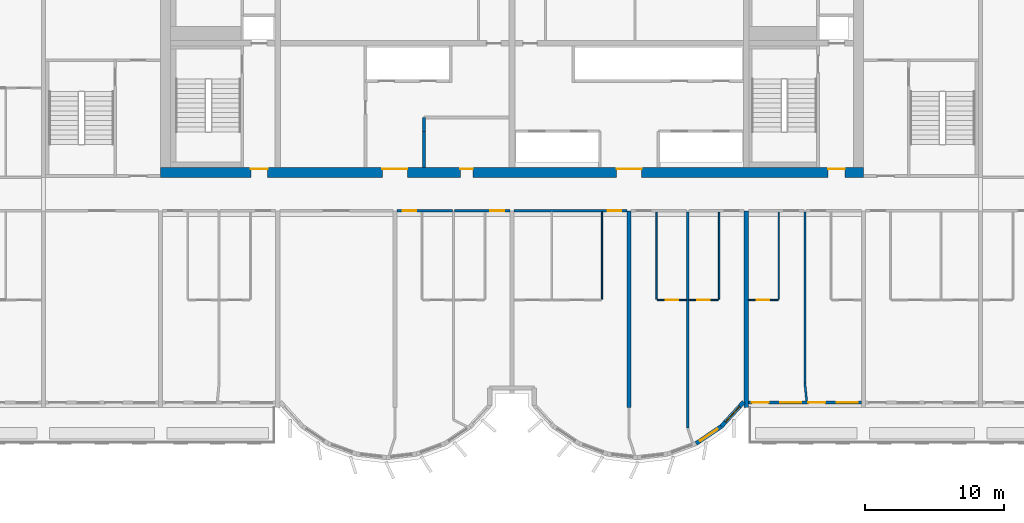
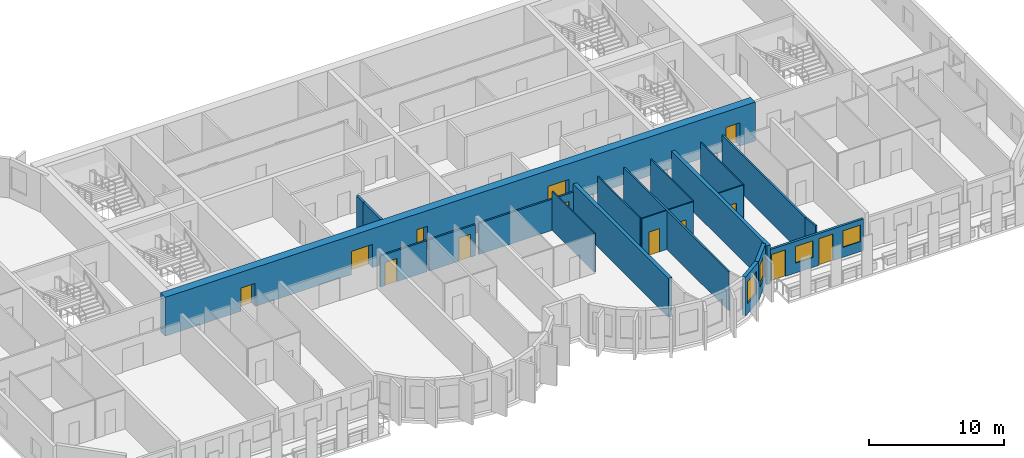
# One storey, part 5 of 13: 21 walls, 13 doors, 4 windows, 17 openings.
"""IFC4 building model written with IfcOpenShell, lengths in metres."""

from ifc_helpers import new_model, si_unit, direction, frame, frame_2d, origin, place, context, subcontext, project, spatial, rectangle, extrude, source, transform, mapped, material, layer, layer_set, type_object, element, fill, save


model = new_model("IFC4")

# Units and contexts
model_context = context("Model", 3, precision=1e-05, world=origin(), true_north=direction((0.0, 1.0)))
body_context = subcontext(model_context, "Body", "Model", "MODEL_VIEW")
ifc_project = project(units=[si_unit("LENGTHUNIT", "METRE"), si_unit("AREAUNIT", "SQUARE_METRE"), si_unit("VOLUMEUNIT", "CUBIC_METRE"), si_unit("PLANEANGLEUNIT", "RADIAN"), si_unit("MASSUNIT", "GRAM", prefix="KILO")], contexts=[model_context])

# Site, building, storey
site_placement = place(None, origin())
site = spatial("IfcSite", under=ifc_project, at=site_placement, CompositionType="ELEMENT")
building_placement = place(site_placement, origin())
building = spatial("IfcBuilding", under=site, at=building_placement, Name="Vanashikhar Sky Hotel", CompositionType="ELEMENT")
storey_placement = place(building_placement, frame((0.0, 0.0, 151.60009765625)))
storey = spatial("IfcBuildingStorey", under=building, at=storey_placement, Name="L36", CompositionType="ELEMENT", Elevation=151.60009765625)

# Wall, openings, doors
ifc_material_1 = material(Name="Concrete M60", Category="concrete")
ifc_layer_1 = layer(ifc_material_1, 0.699951171875)
ifc_layer_set_1 = layer_set([ifc_layer_1], Name="RC core shell wall 700 Concrete M60")
wall_type_1 = type_object("IfcWallType", Name="RC core shell wall 700 Concrete M60", PredefinedType="SHEAR", material=ifc_layer_set_1)
shared_shape_1 = source(origin(), body_context, "Body", "SweptSolid", [
    extrude(rectangle(XDim=50.400146484375, YDim=0.699951171875, at=frame_2d((25.2001953125, 0.0))), origin(), (0.0, 0.0, 1.0), 3.52001953125),
])
wall_1_placement = place(storey_placement, frame((25.199951171875, 22.35009765625, 0.0), z_axis=(0.0, 0.0, 1.0), x_axis=(1.0, 0.0, 0.0)))
wall_1 = element("IfcWall", 1, at=wall_1_placement, inside=storey, type_object=wall_type_1, Name="KW-L36-KS", PredefinedType="SHEAR", context=body_context, shape_type="MappedRepresentation", body=[
    mapped(shared_shape_1, transform((0.0, 0.0, 0.0), scale=1.0)),
])
shared_shape_2 = source(origin(), body_context, "Body", "SweptSolid", [
    extrude(rectangle(XDim=1.800048828125, YDim=2.10009765625, at=frame_2d((0.89990234375, 1.050048828125))), frame((0.0, 0.35986328125, 0.0), z_axis=(0.0, -1.0, 0.0), x_axis=(1.0, 0.0, 0.0)), (0.0, 0.0, 1.0), 0.719970703125),
])
opening_1_placement = place(wall_1_placement, frame((15.89990234375, 0.0, 0.0)))
opening_1 = element("IfcOpeningElement", 2, at=opening_1_placement, cuts=wall_1, Name="Opening DC-3-A", PredefinedType="OPENING", context=body_context, shape_type="MappedRepresentation", body=[
    mapped(shared_shape_2, transform((0.0, 0.0, 0.0), scale=1.0)),
])
shared_shape_3 = source(origin(), body_context, "Body", "SweptSolid", [
    extrude(rectangle(XDim=0.89990234375, YDim=2.10009765625, at=frame_2d((0.449951171875, 1.050048828125))), frame((0.0, 0.35986328125, 0.0), z_axis=(0.0, -1.0, 0.0), x_axis=(1.0, 0.0, 0.0)), (0.0, 0.0, 1.0), 0.719970703125),
])
opening_2_placement = place(wall_1_placement, frame((21.5, 0.0, 0.0)))
opening_2 = element("IfcOpeningElement", 3, at=opening_2_placement, cuts=wall_1, Name="Opening DC-4-A", PredefinedType="OPENING", context=body_context, shape_type="MappedRepresentation", body=[
    mapped(shared_shape_3, transform((0.0, 0.0, 0.0), scale=1.0)),
])
opening_3_placement = place(wall_1_placement, frame((32.699951171875, 0.0, 0.0)))
opening_3 = element("IfcOpeningElement", 4, at=opening_3_placement, cuts=wall_1, Name="Opening DC-3-A", PredefinedType="OPENING", context=body_context, shape_type="MappedRepresentation", body=[
    mapped(shared_shape_2, transform((0.0, 0.0, 0.0), scale=1.0)),
])
shared_shape_4 = source(origin(), body_context, "Body", "SweptSolid", [
    extrude(rectangle(XDim=1.199951171875, YDim=2.10009765625, at=frame_2d((0.60009765625, 1.050048828125))), frame((0.0, 0.35986328125, 0.0), z_axis=(0.0, -1.0, 0.0), x_axis=(1.0, 0.0, 0.0)), (0.0, 0.0, 1.0), 0.719970703125),
])
opening_4_placement = place(wall_1_placement, frame((6.47509765625, 0.0, 0.0)))
opening_4 = element("IfcOpeningElement", 5, at=opening_4_placement, cuts=wall_1, Name="Opening DC-2", PredefinedType="OPENING", context=body_context, shape_type="MappedRepresentation", body=[
    mapped(shared_shape_4, transform((0.0, 0.0, 0.0), scale=1.0)),
])
opening_5_placement = place(wall_1_placement, frame((47.875, 0.0, 0.0)))
opening_5 = element("IfcOpeningElement", 6, at=opening_5_placement, cuts=wall_1, Name="Opening DC-2", PredefinedType="OPENING", context=body_context, shape_type="MappedRepresentation", body=[
    mapped(shared_shape_4, transform((0.0, 0.0, 0.0), scale=1.0)),
])
ifc_material_2 = material(Name="Glass", Category="glass")
door_type_1 = type_object("IfcDoorType", Name="Lift lobby entrance door 1800 FD30S", OperationType="NOTDEFINED", PredefinedType="DOOR", material=ifc_material_2)
shared_shape_5 = source(origin(), body_context, "Body", "SweptSolid", [
    extrude(rectangle(XDim=1.800048828125, YDim=2.10009765625, at=frame_2d((0.89990234375, 1.050048828125))), frame((0.0, 0.27490234375, 0.0), z_axis=(0.0, -1.0, 0.0), x_axis=(1.0, 0.0, 0.0)), (0.0, 0.0, 1.0), 0.050048828125),
])
door_1_placement = place(opening_1_placement, origin())
door_1 = element("IfcDoor", 7, at=door_1_placement, inside=storey, type_object=door_type_1, Name="Lift lobby entrance door 1800 FD30S", OperationType="DOUBLE_DOOR_SINGLE_SWING", OverallHeight=2.10009765625, OverallWidth=1.800048828125, PredefinedType="DOOR", context=body_context, shape_type="MappedRepresentation", body=[
    mapped(shared_shape_5, transform((0.0, 0.0, 0.0), scale=1.0)),
])
fill(opening_1, door_1)
door_2_placement = place(opening_3_placement, origin())
door_2 = element("IfcDoor", 8, at=door_2_placement, inside=storey, type_object=door_type_1, Name="Lift lobby entrance door 1800 FD30S", OperationType="DOUBLE_DOOR_SINGLE_SWING", OverallHeight=2.10009765625, OverallWidth=1.800048828125, PredefinedType="DOOR", context=body_context, shape_type="MappedRepresentation", body=[
    mapped(shared_shape_5, transform((0.0, 0.0, 0.0), scale=1.0)),
])
fill(opening_3, door_2)
ifc_material_3 = material(Name="Steel", Category="steel")
door_type_2 = type_object("IfcDoorType", Name="Firefighting lobby door 1200 FD120", OperationType="NOTDEFINED", PredefinedType="DOOR", material=ifc_material_3)
shared_shape_6 = source(origin(), body_context, "Body", "SweptSolid", [
    extrude(rectangle(XDim=1.199951171875, YDim=2.10009765625, at=frame_2d((0.60009765625, 1.050048828125))), frame((0.0, 0.27490234375, 0.0), z_axis=(0.0, -1.0, 0.0), x_axis=(1.0, 0.0, 0.0)), (0.0, 0.0, 1.0), 0.050048828125),
])
door_3_placement = place(opening_4_placement, origin())
door_3 = element("IfcDoor", 9, at=door_3_placement, inside=storey, type_object=door_type_2, Name="Firefighting lobby door 1200 FD120", OperationType="SINGLE_SWING_RIGHT", OverallHeight=2.10009765625, OverallWidth=1.199951171875, PredefinedType="DOOR", context=body_context, shape_type="MappedRepresentation", body=[
    mapped(shared_shape_6, transform((0.0, 0.0, 0.0), scale=1.0)),
])
fill(opening_4, door_3)
door_4_placement = place(opening_5_placement, origin())
door_4 = element("IfcDoor", 10, at=door_4_placement, inside=storey, type_object=door_type_2, Name="Firefighting lobby door 1200 FD120", OperationType="SINGLE_SWING_RIGHT", OverallHeight=2.10009765625, OverallWidth=1.199951171875, PredefinedType="DOOR", context=body_context, shape_type="MappedRepresentation", body=[
    mapped(shared_shape_6, transform((0.0, 0.0, 0.0), scale=1.0)),
])
fill(opening_5, door_4)
door_type_3 = type_object("IfcDoorType", Name="Service door 900 FD60", OperationType="NOTDEFINED", PredefinedType="DOOR", material=ifc_material_3)
shared_shape_7 = source(origin(), body_context, "Body", "SweptSolid", [
    extrude(rectangle(XDim=0.89990234375, YDim=2.10009765625, at=frame_2d((0.449951171875, 1.050048828125))), frame((0.0, 0.27490234375, 0.0), z_axis=(0.0, -1.0, 0.0), x_axis=(1.0, 0.0, 0.0)), (0.0, 0.0, 1.0), 0.050048828125),
])
door_5_placement = place(opening_2_placement, origin())
door_5 = element("IfcDoor", 11, at=door_5_placement, inside=storey, type_object=door_type_3, Name="Service door 900 FD60", OperationType="SINGLE_SWING_RIGHT", OverallHeight=2.10009765625, OverallWidth=0.89990234375, PredefinedType="DOOR", context=body_context, shape_type="MappedRepresentation", body=[
    mapped(shared_shape_7, transform((0.0, 0.0, 0.0), scale=1.0)),
])
fill(opening_2, door_5)

# Walls
ifc_layer_2 = layer(ifc_material_1, 0.300048828125)
ifc_layer_set_2 = layer_set([ifc_layer_2], Name="RC shear wall 300 Concrete M60")
wall_type_2 = type_object("IfcWallType", Name="RC shear wall 300 Concrete M60", PredefinedType="SHEAR", material=ifc_layer_set_2)
shared_shape_8 = source(origin(), body_context, "Body", "SweptSolid", [
    extrude(rectangle(XDim=14.10009765625, YDim=0.300048828125, at=frame_2d((7.050048828125, 0.0))), origin(), (0.0, 0.0, 1.0), 3.52001953125),
])
for number, where, z_axis, x_axis, name in (
    (12, (58.800048828125, 5.5, 0.0), (0.0, 0.0, 1.0), (0.0, 1.0, 0.0), "CW-L36-XW08-1"),
    (13, (67.199951171875, 5.5, 0.0), (0.0, 0.0, 1.0), (0.0, 1.0, 0.0), "CW-L36-XW09-1"),
):
    element("IfcWall", number, at=place(storey_placement, frame(where, z_axis=z_axis, x_axis=x_axis)), inside=storey, type_object=wall_type_2, Name=name, PredefinedType="SHEAR", context=body_context, shape_type="MappedRepresentation", body=[
        mapped(shared_shape_8, transform((0.0, 0.0, 0.0), scale=1.0)),
    ])

# Wall, opening, window
ifc_material_4 = material(Name="Concrete M50", Category="concrete")
ifc_layer_3 = layer(ifc_material_4, 0.300048828125)
ifc_layer_set_3 = layer_set([ifc_layer_3], Name="Lobe wall 300")
wall_type_3 = type_object("IfcWallType", Name="Lobe wall 300", PredefinedType="SOLIDWALL", material=ifc_layer_set_3)
shared_shape_9 = source(origin(), body_context, "Body", "SweptSolid", [
    extrude(rectangle(XDim=2.398193359375, YDim=0.300048828125, at=frame_2d((1.19921875, 0.0))), origin(), (0.0, 0.0, 1.0), 3.52001953125),
])
wall_2_placement = place(storey_placement, frame((65.404296875, 4.13134765625, 0.0), z_axis=(0.0, 0.0, 1.0), x_axis=(0.675374189419, 0.737475222815, 0.0)))
wall_2 = element("IfcWall", 14, at=wall_2_placement, inside=storey, type_object=wall_type_3, Name="Lobe wall", PredefinedType="SOLIDWALL", context=body_context, shape_type="MappedRepresentation", body=[
    mapped(shared_shape_9, transform((0.0, 0.0, 0.0), scale=1.0)),
])
shared_shape_10 = source(origin(), body_context, "Body", "SweptSolid", [
    extrude(rectangle(XDim=1.5, YDim=2.0, at=frame_2d((0.75, 1.0))), frame((0.0, 0.16015625, 0.0), z_axis=(0.0, -1.0, 0.0), x_axis=(1.0, 0.0, 0.0)), (0.0, 0.0, 1.0), 0.320068359375),
])
opening_6_placement = place(wall_2_placement, frame((0.44921875, 0.0, 0.89990234375)))
opening_6 = element("IfcOpeningElement", 15, at=opening_6_placement, cuts=wall_2, Name="Opening WN-2", PredefinedType="OPENING", context=body_context, shape_type="MappedRepresentation", body=[
    mapped(shared_shape_10, transform((0.0, 0.0, 0.0), scale=1.0)),
])
window_type_1 = type_object("IfcWindowType", Name="Lobe window 1500 x 2000", PartitioningType="SINGLE_PANEL", PredefinedType="WINDOW", material=ifc_material_2)
shared_shape_11 = source(origin(), body_context, "Body", "SweptSolid", [
    extrude(rectangle(XDim=1.5, YDim=2.0, at=frame_2d((0.75, 1.0))), frame((0.0, 0.030029296875, 0.0), z_axis=(0.0, -1.0, 0.0), x_axis=(1.0, 0.0, 0.0)), (0.0, 0.0, 1.0), 0.06005859375),
])
window_1_placement = place(opening_6_placement, origin())
window_1 = element("IfcWindow", 16, at=window_1_placement, inside=storey, type_object=window_type_1, Name="Window WN-2", OverallHeight=2.0, OverallWidth=1.5, PartitioningType="SINGLE_PANEL", PredefinedType="WINDOW", context=body_context, shape_type="MappedRepresentation", body=[
    mapped(shared_shape_11, transform((0.0, 0.0, 0.0), scale=1.0)),
])
fill(opening_6, window_1)

shared_shape_12 = source(origin(), body_context, "Body", "SweptSolid", [
    extrude(rectangle(XDim=2.17578125, YDim=0.300048828125, at=frame_2d((1.087890625, 0.0))), origin(), (0.0, 0.0, 1.0), 3.52001953125),
])
wall_3_placement = place(storey_placement, frame((63.59912109375, 2.91650390625, 0.0), z_axis=(0.0, 0.0, 1.0), x_axis=(0.829625727223, 0.558319937607, 0.0)))
wall_3 = element("IfcWall", 17, at=wall_3_placement, inside=storey, type_object=wall_type_3, Name="Lobe wall", PredefinedType="SOLIDWALL", context=body_context, shape_type="MappedRepresentation", body=[
    mapped(shared_shape_12, transform((0.0, 0.0, 0.0), scale=1.0)),
])
opening_7_placement = place(wall_3_placement, frame((0.337890625, 0.0, 0.89990234375)))
opening_7 = element("IfcOpeningElement", 18, at=opening_7_placement, cuts=wall_3, Name="Opening WN-2", PredefinedType="OPENING", context=body_context, shape_type="MappedRepresentation", body=[
    mapped(shared_shape_10, transform((0.0, 0.0, 0.0), scale=1.0)),
])
window_2_placement = place(opening_7_placement, origin())
window_2 = element("IfcWindow", 19, at=window_2_placement, inside=storey, type_object=window_type_1, Name="Window WN-2", OverallHeight=2.0, OverallWidth=1.5, PartitioningType="SINGLE_PANEL", PredefinedType="WINDOW", context=body_context, shape_type="MappedRepresentation", body=[
    mapped(shared_shape_11, transform((0.0, 0.0, 0.0), scale=1.0)),
])
fill(opening_7, window_2)

# Wall, openings, windows, doors
ifc_layer_4 = layer(ifc_material_4, 0.199951171875)
ifc_layer_set_4 = layer_set([ifc_layer_4], Name="Front window wall 200")
wall_type_4 = type_object("IfcWallType", Name="Front window wall 200", PredefinedType="SOLIDWALL", material=ifc_layer_set_4)
shared_shape_13 = source(origin(), body_context, "Body", "SweptSolid", [
    extrude(rectangle(XDim=8.099853515625, YDim=0.199951171875, at=frame_2d((4.0498046875, 0.0))), origin(), (0.0, 0.0, 1.0), 2.869873046875),
])
wall_4_placement = place(storey_placement, frame((67.35009765625, 5.85009765625, 0.0), z_axis=(0.0, 0.0, 1.0), x_axis=(1.0, 0.0, 0.0)))
wall_4 = element("IfcWall", 20, at=wall_4_placement, inside=storey, type_object=wall_type_4, Name="Front window wall", PredefinedType="SOLIDWALL", context=body_context, shape_type="MappedRepresentation", body=[
    mapped(shared_shape_13, transform((0.0, 0.0, 0.0), scale=1.0)),
])
shared_shape_14 = source(origin(), body_context, "Body", "SweptSolid", [
    extrude(rectangle(XDim=1.199951171875, YDim=2.39990234375, at=frame_2d((0.60009765625, 1.199951171875))), frame((0.0, 0.10986328125, 0.0), z_axis=(0.0, -1.0, 0.0), x_axis=(1.0, 0.0, 0.0)), (0.0, 0.0, 1.0), 0.219970703125),
])
opening_8_placement = place(wall_4_placement, frame((0.25, 0.0, 0.0)))
opening_8 = element("IfcOpeningElement", 21, at=opening_8_placement, cuts=wall_4, Name="Opening BD-06", PredefinedType="OPENING", context=body_context, shape_type="MappedRepresentation", body=[
    mapped(shared_shape_14, transform((0.0, 0.0, 0.0), scale=1.0)),
])
shared_shape_15 = source(origin(), body_context, "Body", "SweptSolid", [
    extrude(rectangle(XDim=1.5, YDim=1.5, at=frame_2d((0.75, 0.75))), frame((0.0, 0.10986328125, 0.0), z_axis=(0.0, -1.0, 0.0), x_axis=(1.0, 0.0, 0.0)), (0.0, 0.0, 1.0), 0.219970703125),
])
opening_9_placement = place(wall_4_placement, frame((2.300048828125, 0.0, 0.89990234375)))
opening_9 = element("IfcOpeningElement", 22, at=opening_9_placement, cuts=wall_4, Name="Opening WN-1", PredefinedType="OPENING", context=body_context, shape_type="MappedRepresentation", body=[
    mapped(shared_shape_15, transform((0.0, 0.0, 0.0), scale=1.0)),
])
opening_10_placement = place(wall_4_placement, frame((4.300048828125, 0.0, 0.0)))
opening_10 = element("IfcOpeningElement", 23, at=opening_10_placement, cuts=wall_4, Name="Opening BD-07", PredefinedType="OPENING", context=body_context, shape_type="MappedRepresentation", body=[
    mapped(shared_shape_14, transform((0.0, 0.0, 0.0), scale=1.0)),
])
opening_11_placement = place(wall_4_placement, frame((6.35009765625, 0.0, 0.89990234375)))
opening_11 = element("IfcOpeningElement", 24, at=opening_11_placement, cuts=wall_4, Name="Opening WN-1", PredefinedType="OPENING", context=body_context, shape_type="MappedRepresentation", body=[
    mapped(shared_shape_15, transform((0.0, 0.0, 0.0), scale=1.0)),
])
window_type_2 = type_object("IfcWindowType", Name="Window 1500 x 1500", PartitioningType="SINGLE_PANEL", PredefinedType="WINDOW", material=ifc_material_2)
shared_shape_16 = source(origin(), body_context, "Body", "SweptSolid", [
    extrude(rectangle(XDim=1.5, YDim=1.5, at=frame_2d((0.75, 0.75))), frame((0.0, 0.030029296875, 0.0), z_axis=(0.0, -1.0, 0.0), x_axis=(1.0, 0.0, 0.0)), (0.0, 0.0, 1.0), 0.06005859375),
])
window_3_placement = place(opening_9_placement, origin())
window_3 = element("IfcWindow", 25, at=window_3_placement, inside=storey, type_object=window_type_2, Name="Window WN-1", OverallHeight=1.5, OverallWidth=1.5, PartitioningType="SINGLE_PANEL", PredefinedType="WINDOW", context=body_context, shape_type="MappedRepresentation", body=[
    mapped(shared_shape_16, transform((0.0, 0.0, 0.0), scale=1.0)),
])
fill(opening_9, window_3)
window_4_placement = place(opening_11_placement, origin())
window_4 = element("IfcWindow", 26, at=window_4_placement, inside=storey, type_object=window_type_2, Name="Window WN-1", OverallHeight=1.5, OverallWidth=1.5, PartitioningType="SINGLE_PANEL", PredefinedType="WINDOW", context=body_context, shape_type="MappedRepresentation", body=[
    mapped(shared_shape_16, transform((0.0, 0.0, 0.0), scale=1.0)),
])
fill(opening_11, window_4)
ifc_material_5 = material(Name="Aluminium", Category="aluminium")
door_type_4 = type_object("IfcDoorType", Name="Balcony sliding door 1200 x 2400", OperationType="NOTDEFINED", PredefinedType="DOOR", material=ifc_material_5)
shared_shape_17 = source(origin(), body_context, "Body", "SweptSolid", [
    extrude(rectangle(XDim=1.199951171875, YDim=2.39990234375, at=frame_2d((0.60009765625, 1.199951171875))), frame((0.0, 0.02490234375, 0.0), z_axis=(0.0, -1.0, 0.0), x_axis=(1.0, 0.0, 0.0)), (0.0, 0.0, 1.0), 0.050048828125),
])
door_6_placement = place(opening_8_placement, origin())
door_6 = element("IfcDoor", 27, at=door_6_placement, inside=storey, type_object=door_type_4, Name="Balcony sliding door", OperationType="SLIDING_TO_RIGHT", OverallHeight=2.39990234375, OverallWidth=1.199951171875, PredefinedType="DOOR", context=body_context, shape_type="MappedRepresentation", body=[
    mapped(shared_shape_17, transform((0.0, 0.0, 0.0), scale=1.0)),
])
fill(opening_8, door_6)
door_7_placement = place(opening_10_placement, origin())
door_7 = element("IfcDoor", 28, at=door_7_placement, inside=storey, type_object=door_type_4, Name="Balcony sliding door", OperationType="SLIDING_TO_LEFT", OverallHeight=2.39990234375, OverallWidth=1.199951171875, PredefinedType="DOOR", context=body_context, shape_type="MappedRepresentation", body=[
    mapped(shared_shape_17, transform((0.0, 0.0, 0.0), scale=1.0)),
])
fill(opening_10, door_7)

# Walls
ifc_material_6 = material(Name="Gypsum board partition")
ifc_layer_5 = layer(ifc_material_6, 0.14990234375)
ifc_layer_set_5 = layer_set([ifc_layer_5], Name="Service partition 150")
wall_type_5 = type_object("IfcWallType", Name="Service partition 150", PredefinedType="PARTITIONING", material=ifc_layer_set_5)
shared_shape_18 = source(origin(), body_context, "Body", "SweptSolid", [
    extrude(rectangle(XDim=2.60009765625, YDim=0.199951171875, at=frame_2d((1.300048828125, 0.0))), origin(), (0.0, 0.0, 1.0), 3.52001953125),
])
wall_5_placement = place(storey_placement, frame((44.10009765625, 22.699951171875, 0.0), z_axis=(0.0, 0.0, 1.0), x_axis=(0.0, 1.0, 0.0)))
element("IfcWall", 29, at=wall_5_placement, inside=storey, type_object=wall_type_5, Name="Service partition 150", PredefinedType="PARTITIONING", context=body_context, shape_type="MappedRepresentation", body=[
    mapped(shared_shape_18, transform((0.0, 0.0, 0.0), scale=1.0)),
])
shared_shape_19 = source(origin(), body_context, "Body", "SweptSolid", [
    extrude(rectangle(XDim=1.0, YDim=0.199951171875, at=frame_2d((0.5, 0.0))), origin(), (0.0, 0.0, 1.0), 3.52001953125),
])
wall_6_placement = place(storey_placement, frame((44.10009765625, 25.300048828125, 0.0), z_axis=(0.0, 0.0, 1.0), x_axis=(0.0, 1.0, 0.0)))
element("IfcWall", 30, at=wall_6_placement, inside=storey, type_object=wall_type_5, Name="Service partition 150", PredefinedType="PARTITIONING", context=body_context, shape_type="MappedRepresentation", body=[
    mapped(shared_shape_19, transform((0.0, 0.0, 0.0), scale=1.0)),
])
ifc_material_7 = material(Name="Gypsum plasterboard partition")
ifc_layer_6 = layer(ifc_material_7, 0.10009765625)
ifc_layer_set_6 = layer_set([ifc_layer_6], Name="Wet room partition 100")
wall_type_6 = type_object("IfcWallType", Name="Wet room partition 100", PredefinedType="PARTITIONING", material=ifc_layer_set_6)
shared_shape_20 = source(origin(), body_context, "Body", "SweptSolid", [
    extrude(rectangle(XDim=6.25, YDim=0.10009765625, at=frame_2d((3.125, 0.0))), origin(), (0.0, 0.0, 1.0), 3.52001953125),
])
for number, where, z_axis, x_axis, name in (
    (31, (56.85009765625, 13.27490234375, 0.0), (0.0, 0.0, 1.0), (0.0, 1.0, 0.0), "W-L36-PW022"),
    (32, (60.75, 13.27490234375, 0.0), (0.0, 0.0, 1.0), (0.0, 1.0, 0.0), "W-L36-PW027"),
    (33, (65.25, 13.27490234375, 0.0), (0.0, 0.0, 1.0), (0.0, 1.0, 0.0), "W-L36-PW030"),
    (34, (69.52490234375, 13.27490234375, 0.0), (0.0, 0.0, 1.0), (0.0, 1.0, 0.0), "W-L36-PW034"),
):
    element("IfcWall", number, at=place(storey_placement, frame(where, z_axis=z_axis, x_axis=x_axis)), inside=storey, type_object=wall_type_6, Name=name, PredefinedType="PARTITIONING", context=body_context, shape_type="MappedRepresentation", body=[
        mapped(shared_shape_20, transform((0.0, 0.0, 0.0), scale=1.0)),
    ])
ifc_layer_7 = layer(ifc_material_7, 0.14990234375)
ifc_layer_set_7 = layer_set([ifc_layer_7], Name="Corridor and demising partition 150")
wall_type_7 = type_object("IfcWallType", Name="Corridor and demising partition 150", PredefinedType="PARTITIONING", material=ifc_layer_set_7)
shared_shape_21 = source(origin(), body_context, "Body", "SweptSolid", [
    extrude(rectangle(XDim=12.27490234375, YDim=0.14990234375, at=frame_2d((6.137451171875, 0.0))), origin(), (0.0, 0.0, 1.0), 3.52001953125),
])
wall_7_placement = place(storey_placement, frame((71.39990234375, 7.25, 0.0), z_axis=(0.0, 0.0, 1.0), x_axis=(0.0, 1.0, 0.0)))
element("IfcWall", 35, at=wall_7_placement, inside=storey, type_object=wall_type_7, Name="W-L36-PW040", PredefinedType="PARTITIONING", context=body_context, shape_type="MappedRepresentation", body=[
    mapped(shared_shape_21, transform((0.0, 0.0, 0.0), scale=1.0)),
])
shared_shape_22 = source(origin(), body_context, "Body", "SweptSolid", [
    extrude(rectangle(XDim=15.497802734375, YDim=0.14990234375, at=frame_2d((7.7490234375, 0.0))), origin(), (0.0, 0.0, 1.0), 3.52001953125),
])
wall_8_placement = place(storey_placement, frame((63.0, 4.027099609375, 0.0), z_axis=(0.0, 0.0, 1.0), x_axis=(0.0, 1.0, 0.0)))
element("IfcWall", 36, at=wall_8_placement, inside=storey, type_object=wall_type_7, Name="W-L36-PW033", PredefinedType="PARTITIONING", context=body_context, shape_type="MappedRepresentation", body=[
    mapped(shared_shape_22, transform((0.0, 0.0, 0.0), scale=1.0)),
])
shared_shape_23 = source(origin(), body_context, "Body", "SweptSolid", [
    extrude(rectangle(XDim=1.306640625, YDim=0.14990234375, at=frame_2d((0.6533203125, 0.0))), origin(), (0.0, 0.0, 1.0), 3.52001953125),
])
wall_9_placement = place(storey_placement, frame((71.530029296875, 5.949951171875, 0.0), z_axis=(0.0, 0.0, 1.0), x_axis=(-0.099596223396, 0.99502793543, 0.0)))
element("IfcWall", 37, at=wall_9_placement, inside=storey, type_object=wall_type_7, Name="W-L36-PW040B0", PredefinedType="PARTITIONING", context=body_context, shape_type="MappedRepresentation", body=[
    mapped(shared_shape_23, transform((0.0, 0.0, 0.0), scale=1.0)),
])

# Wall, opening, door
shared_shape_24 = source(origin(), body_context, "Body", "SweptSolid", [
    extrude(rectangle(XDim=2.125, YDim=0.10009765625, at=frame_2d((1.0625, 0.0))), origin(), (0.0, 0.0, 1.0), 3.52001953125),
])
wall_10_placement = place(storey_placement, frame((60.800048828125, 13.199951171875, 0.0), z_axis=(0.0, 0.0, 1.0), x_axis=(1.0, 0.0, 0.0)))
wall_10 = element("IfcWall", 38, at=wall_10_placement, inside=storey, type_object=wall_type_6, Name="W-L36-PW028", PredefinedType="PARTITIONING", context=body_context, shape_type="MappedRepresentation", body=[
    mapped(shared_shape_24, transform((0.0, 0.0, 0.0), scale=1.0)),
])
shared_shape_25 = source(origin(), body_context, "Body", "SweptSolid", [
    extrude(rectangle(XDim=0.89990234375, YDim=2.10009765625, at=frame_2d((0.449951171875, 1.050048828125))), frame((0.0, 0.06005859375, 0.0), z_axis=(0.0, -1.0, 0.0), x_axis=(1.0, 0.0, 0.0)), (0.0, 0.0, 1.0), 0.1201171875),
])
opening_12_placement = place(wall_10_placement, frame((0.612060546875, 0.0, 0.0)))
opening_12 = element("IfcOpeningElement", 39, at=opening_12_placement, cuts=wall_10, Name="Opening D-02", PredefinedType="OPENING", context=body_context, shape_type="MappedRepresentation", body=[
    mapped(shared_shape_25, transform((0.0, 0.0, 0.0), scale=1.0)),
])
ifc_material_8 = material(Name="Timber door", Category="wood")
door_type_5 = type_object("IfcDoorType", Name="Internal door 900", OperationType="NOTDEFINED", PredefinedType="DOOR", material=ifc_material_8)
shared_shape_26 = source(origin(), body_context, "Body", "SweptSolid", [
    extrude(rectangle(XDim=0.89990234375, YDim=2.10009765625, at=frame_2d((0.449951171875, 1.050048828125))), frame((0.0, 0.02490234375, 0.0), z_axis=(0.0, -1.0, 0.0), x_axis=(1.0, 0.0, 0.0)), (0.0, 0.0, 1.0), 0.050048828125),
])
door_8_placement = place(opening_12_placement, origin())
door_8 = element("IfcDoor", 40, at=door_8_placement, inside=storey, type_object=door_type_5, Name="D-L36-017", OperationType="SINGLE_SWING_LEFT", OverallHeight=2.10009765625, OverallWidth=0.89990234375, PredefinedType="DOOR", context=body_context, shape_type="MappedRepresentation", body=[
    mapped(shared_shape_26, transform((0.0, 0.0, 0.0), scale=1.0)),
])
fill(opening_12, door_8)

wall_11_placement = place(storey_placement, frame((63.074951171875, 13.199951171875, 0.0), z_axis=(0.0, 0.0, 1.0), x_axis=(1.0, 0.0, 0.0)))
wall_11 = element("IfcWall", 41, at=wall_11_placement, inside=storey, type_object=wall_type_6, Name="W-L36-PW031", PredefinedType="PARTITIONING", context=body_context, shape_type="MappedRepresentation", body=[
    mapped(shared_shape_24, transform((0.0, 0.0, 0.0), scale=1.0)),
])
opening_13_placement = place(wall_11_placement, frame((0.612060546875, 0.0, 0.0)))
opening_13 = element("IfcOpeningElement", 42, at=opening_13_placement, cuts=wall_11, Name="Opening D-02", PredefinedType="OPENING", context=body_context, shape_type="MappedRepresentation", body=[
    mapped(shared_shape_25, transform((0.0, 0.0, 0.0), scale=1.0)),
])
door_9_placement = place(opening_13_placement, origin())
door_9 = element("IfcDoor", 43, at=door_9_placement, inside=storey, type_object=door_type_5, Name="D-L36-019", OperationType="SINGLE_SWING_RIGHT", OverallHeight=2.10009765625, OverallWidth=0.89990234375, PredefinedType="DOOR", context=body_context, shape_type="MappedRepresentation", body=[
    mapped(shared_shape_26, transform((0.0, 0.0, 0.0), scale=1.0)),
])
fill(opening_13, door_9)

wall_12_placement = place(storey_placement, frame((67.35009765625, 13.199951171875, 0.0), z_axis=(0.0, 0.0, 1.0), x_axis=(1.0, 0.0, 0.0)))
wall_12 = element("IfcWall", 44, at=wall_12_placement, inside=storey, type_object=wall_type_6, Name="W-L36-PW035", PredefinedType="PARTITIONING", context=body_context, shape_type="MappedRepresentation", body=[
    mapped(shared_shape_24, transform((0.0, 0.0, 0.0), scale=1.0)),
])
opening_14_placement = place(wall_12_placement, frame((0.612060546875, 0.0, 0.0)))
opening_14 = element("IfcOpeningElement", 45, at=opening_14_placement, cuts=wall_12, Name="Opening D-02", PredefinedType="OPENING", context=body_context, shape_type="MappedRepresentation", body=[
    mapped(shared_shape_25, transform((0.0, 0.0, 0.0), scale=1.0)),
])
door_10_placement = place(opening_14_placement, origin())
door_10 = element("IfcDoor", 46, at=door_10_placement, inside=storey, type_object=door_type_5, Name="D-L36-021", OperationType="SINGLE_SWING_RIGHT", OverallHeight=2.10009765625, OverallWidth=0.89990234375, PredefinedType="DOOR", context=body_context, shape_type="MappedRepresentation", body=[
    mapped(shared_shape_26, transform((0.0, 0.0, 0.0), scale=1.0)),
])
fill(opening_14, door_10)

shared_shape_27 = source(origin(), body_context, "Body", "SweptSolid", [
    extrude(rectangle(XDim=3.97509765625, YDim=0.14990234375, at=frame_2d((1.987548828125, 0.0))), origin(), (0.0, 0.0, 1.0), 2.81982421875),
])
wall_13_placement = place(storey_placement, frame((42.14990234375, 19.60009765625, 0.0), z_axis=(0.0, 0.0, 1.0), x_axis=(1.0, 0.0, 0.0)))
wall_13 = element("IfcWall", 47, at=wall_13_placement, inside=storey, type_object=wall_type_7, Name="W-L36-PW017", PredefinedType="PARTITIONING", context=body_context, shape_type="MappedRepresentation", body=[
    mapped(shared_shape_27, transform((0.0, 0.0, 0.0), scale=1.0)),
])
shared_shape_28 = source(origin(), body_context, "Body", "SweptSolid", [
    extrude(rectangle(XDim=1.0, YDim=2.10009765625, at=frame_2d((0.5, 1.050048828125))), frame((0.0, 0.0849609375, 0.0), z_axis=(0.0, -1.0, 0.0), x_axis=(1.0, 0.0, 0.0)), (0.0, 0.0, 1.0), 0.169921875),
])
opening_15_placement = place(wall_13_placement, frame((0.39990234375, 0.0, 0.0)))
opening_15 = element("IfcOpeningElement", 48, at=opening_15_placement, cuts=wall_13, Name="Opening D-01", PredefinedType="OPENING", context=body_context, shape_type="MappedRepresentation", body=[
    mapped(shared_shape_28, transform((0.0, 0.0, 0.0), scale=1.0)),
])
ifc_material_9 = material(Name="Timber fire door", Category="wood")
door_type_6 = type_object("IfcDoorType", Name="Guest entry door 1000 FD30S", OperationType="NOTDEFINED", PredefinedType="DOOR", material=ifc_material_9)
shared_shape_29 = source(origin(), body_context, "Body", "SweptSolid", [
    extrude(rectangle(XDim=1.0, YDim=2.10009765625, at=frame_2d((0.5, 1.050048828125))), frame((0.0, 0.02490234375, 0.0), z_axis=(0.0, -1.0, 0.0), x_axis=(1.0, 0.0, 0.0)), (0.0, 0.0, 1.0), 0.050048828125),
])
door_11_placement = place(opening_15_placement, origin())
door_11 = element("IfcDoor", 49, at=door_11_placement, inside=storey, type_object=door_type_6, Name="D-L36-011", OperationType="SINGLE_SWING_LEFT", OverallHeight=2.10009765625, OverallWidth=1.0, PredefinedType="DOOR", context=body_context, shape_type="MappedRepresentation", body=[
    mapped(shared_shape_29, transform((0.0, 0.0, 0.0), scale=1.0)),
])
fill(opening_15, door_11)

wall_14_placement = place(storey_placement, frame((46.27490234375, 19.60009765625, 0.0), z_axis=(0.0, 0.0, 1.0), x_axis=(1.0, 0.0, 0.0)))
wall_14 = element("IfcWall", 50, at=wall_14_placement, inside=storey, type_object=wall_type_7, Name="W-L36-PW020", PredefinedType="PARTITIONING", context=body_context, shape_type="MappedRepresentation", body=[
    mapped(shared_shape_27, transform((0.0, 0.0, 0.0), scale=1.0)),
])
opening_16_placement = place(wall_14_placement, frame((2.574951171875, 0.0, 0.0)))
opening_16 = element("IfcOpeningElement", 51, at=opening_16_placement, cuts=wall_14, Name="Opening D-01", PredefinedType="OPENING", context=body_context, shape_type="MappedRepresentation", body=[
    mapped(shared_shape_28, transform((0.0, 0.0, 0.0), scale=1.0)),
])
door_12_placement = place(opening_16_placement, origin())
door_12 = element("IfcDoor", 52, at=door_12_placement, inside=storey, type_object=door_type_6, Name="D-L36-013", OperationType="SINGLE_SWING_RIGHT", OverallHeight=2.10009765625, OverallWidth=1.0, PredefinedType="DOOR", context=body_context, shape_type="MappedRepresentation", body=[
    mapped(shared_shape_29, transform((0.0, 0.0, 0.0), scale=1.0)),
])
fill(opening_16, door_12)

shared_shape_30 = source(origin(), body_context, "Body", "SweptSolid", [
    extrude(rectangle(XDim=8.099853515625, YDim=0.14990234375, at=frame_2d((4.0498046875, 0.0))), origin(), (0.0, 0.0, 1.0), 2.81982421875),
])
wall_15_placement = place(storey_placement, frame((50.550048828125, 19.60009765625, 0.0), z_axis=(0.0, 0.0, 1.0), x_axis=(1.0, 0.0, 0.0)))
wall_15 = element("IfcWall", 53, at=wall_15_placement, inside=storey, type_object=wall_type_7, Name="W-L36-PW026", PredefinedType="PARTITIONING", context=body_context, shape_type="MappedRepresentation", body=[
    mapped(shared_shape_30, transform((0.0, 0.0, 0.0), scale=1.0)),
])
opening_17_placement = place(wall_15_placement, frame((6.699951171875, 0.0, 0.0)))
opening_17 = element("IfcOpeningElement", 54, at=opening_17_placement, cuts=wall_15, Name="Opening D-01", PredefinedType="OPENING", context=body_context, shape_type="MappedRepresentation", body=[
    mapped(shared_shape_28, transform((0.0, 0.0, 0.0), scale=1.0)),
])
door_13_placement = place(opening_17_placement, origin())
door_13 = element("IfcDoor", 55, at=door_13_placement, inside=storey, type_object=door_type_6, Name="D-L36-016", OperationType="SINGLE_SWING_RIGHT", OverallHeight=2.10009765625, OverallWidth=1.0, PredefinedType="DOOR", context=body_context, shape_type="MappedRepresentation", body=[
    mapped(shared_shape_29, transform((0.0, 0.0, 0.0), scale=1.0)),
])
fill(opening_17, door_13)

save(model, "model.ifc")
